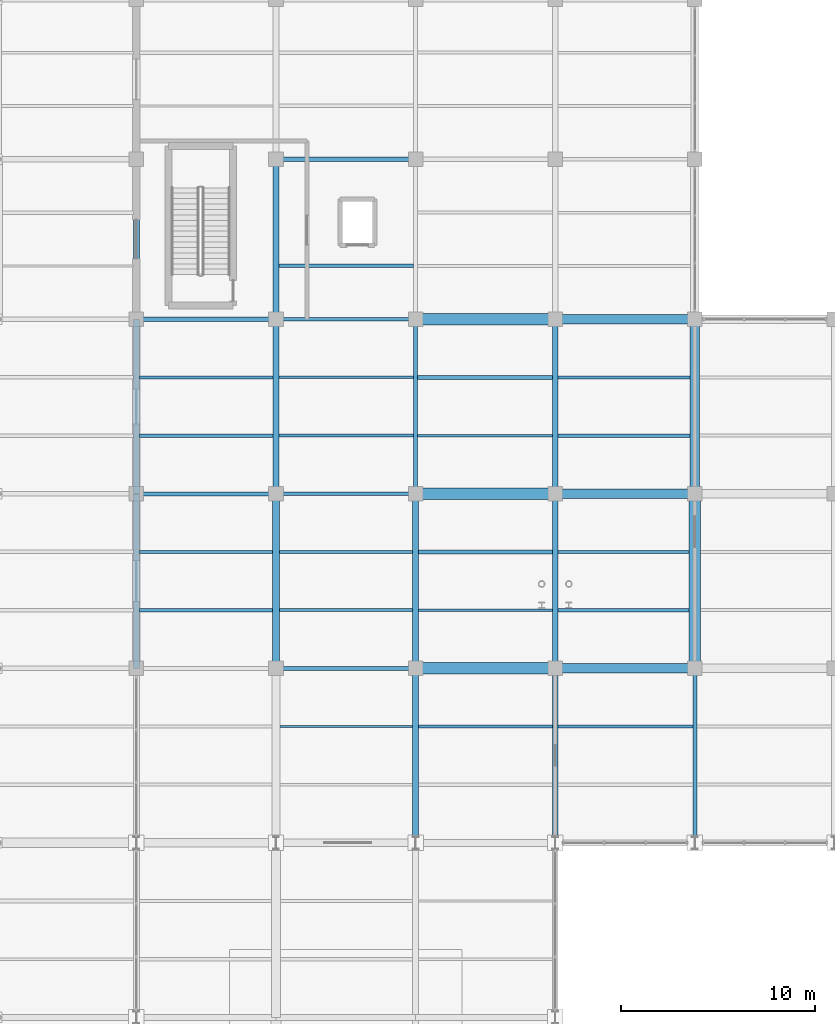
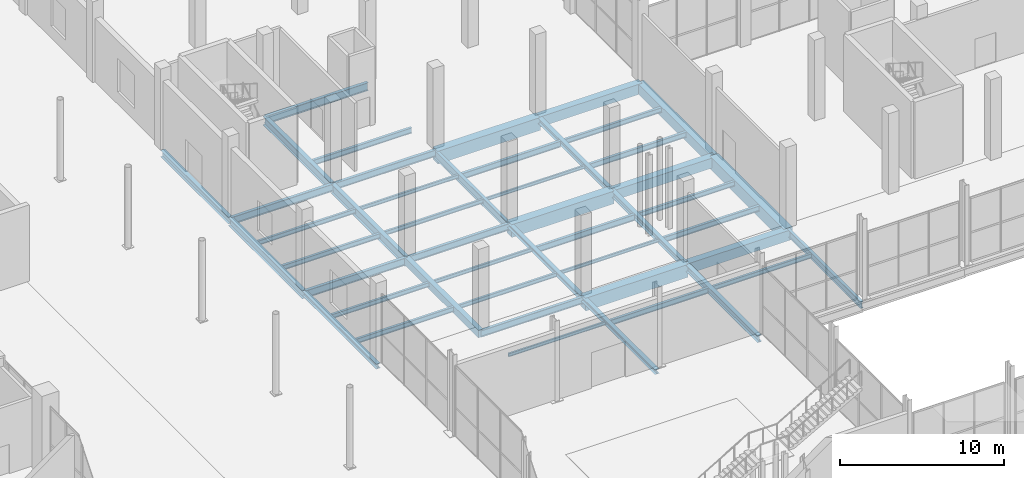
# One storey, part 67 of 144: 47 beams.
"""IFC4 building model written with IfcOpenShell, lengths in metres."""

import ifcopenshell
import ifcopenshell.guid

model = None  # the IFC model being written
_history = None  # IfcOwnerHistory: only IFC2X3 demands one
_inside = {}  # id of a spatial element -> (the spatial element, [elements in it])
_under = {}  # id of a project, library or spatial element -> (it, [spatial elements below it])
_declared = {}  # id of a project -> (the project, [libraries it declares])
_typed = {}  # id of a type object -> (the type object, [elements of that type])
_made_of = {}  # id of a material, layer set ... -> (it, [elements and type objects made of it])


def new_model(schema):
    """Start an empty IFC model of exactly this schema.

    Asked for "IFC4X3", IfcOpenShell would pick the latest addendum, in which some entities
    have other attributes; the version numbers below select the first issue.
    IFC2X3 requires an IfcOwnerHistory on every rooted entity: one is made here for all.
    """
    global model, _history
    if schema == "IFC4X3":
        model = ifcopenshell.file(schema_version=(4, 3, 0, 0))
    else:
        model = ifcopenshell.file(schema=schema)
    _inside.clear()
    _under.clear()
    _declared.clear()
    _typed.clear()
    _made_of.clear()
    _history = None
    if model.schema == "IFC2X3":
        org = make("IfcOrganization", Name="unknown")
        user = make(
            "IfcPersonAndOrganization",
            ThePerson=make("IfcPerson", FamilyName="unknown"),
            TheOrganization=org,
        )
        app = make(
            "IfcApplication",
            ApplicationDeveloper=org,
            Version="unknown",
            ApplicationFullName="unknown",
            ApplicationIdentifier="unknown",
        )
        _history = make(
            "IfcOwnerHistory",
            OwningUser=user,
            OwningApplication=app,
            ChangeAction="ADDED",
            CreationDate=0,
        )
    return model


def make(cls, **values):
    """One entity of the class cls with the attributes given. An attribute that is None is left unset."""
    return model.create_entity(
        cls, **{name: value for name, value in values.items() if value is not None}
    )


def rooted(cls, **values):
    """An entity with a GlobalId (a new one), such as an element, a storey or a relation."""
    return make(cls, GlobalId=ifcopenshell.guid.new(), OwnerHistory=_history, **values)


def si_unit(unit_type, name, prefix=None):
    """IfcSIUnit, for example si_unit("LENGTHUNIT", "METRE", prefix="MILLI")."""
    return make("IfcSIUnit", UnitType=unit_type, Prefix=prefix, Name=name)


def assignment(units):
    """IfcUnitAssignment: the units of a project."""
    return None if units is None else make("IfcUnitAssignment", Units=units)


def point(xyz):
    """IfcCartesianPoint."""
    return None if xyz is None else make("IfcCartesianPoint", Coordinates=xyz)


def direction(xyz):
    """IfcDirection."""
    return None if xyz is None else make("IfcDirection", DirectionRatios=xyz)


def frame(location, z_axis=None, x_axis=None):
    """IfcAxis2Placement3D, a coordinate frame: its origin and axes. An axis left out is left unset."""
    return make(
        "IfcAxis2Placement3D",
        Location=point(location),
        Axis=direction(z_axis),
        RefDirection=direction(x_axis),
    )


def frame_2d(location, x_axis=None):
    """IfcAxis2Placement2D, a coordinate frame in the plane: its origin and x axis."""
    return make(
        "IfcAxis2Placement2D", Location=point(location), RefDirection=direction(x_axis)
    )


def origin():
    """The frame at (0, 0, 0) with its axes left unset."""
    return frame((0.0, 0.0, 0.0))


def origin_2d():
    """The frame at (0, 0) in the plane with its x axis left unset."""
    return frame_2d((0.0, 0.0))


def place(relative_to, where):
    """IfcLocalPlacement: puts the frame where relative to a parent placement (None: the world)."""
    return make(
        "IfcLocalPlacement", PlacementRelTo=relative_to, RelativePlacement=where
    )


def context(
    kind, dimensions, precision=None, world=None, true_north=None, identifier=None
):
    """IfcGeometricRepresentationContext, for example the 3D "Model" context."""
    return make(
        "IfcGeometricRepresentationContext",
        ContextIdentifier=identifier,
        ContextType=kind,
        CoordinateSpaceDimension=dimensions,
        Precision=precision,
        WorldCoordinateSystem=world,
        TrueNorth=true_north,
    )


def subcontext(parent, identifier, kind, view, scale=None):
    """IfcGeometricRepresentationSubContext, for example "Body" below "Model"."""
    return make(
        "IfcGeometricRepresentationSubContext",
        ContextIdentifier=identifier,
        ContextType=kind,
        ParentContext=parent,
        TargetScale=scale,
        TargetView=view,
    )


def project(units=None, contexts=None):
    """IfcProject with its units and contexts."""
    return rooted(
        "IfcProject",
        Name="project",
        RepresentationContexts=contexts,
        UnitsInContext=assignment(units),
    )


def spatial(cls, under=None, at=None, **own):
    """A site, building, storey or space (cls), placed at a placement, below another one or the project."""
    s = rooted(cls, ObjectPlacement=at, **own)
    if under is not None:
        _under.setdefault(under.id(), (under, []))[1].append(s)
    return s


def profile(cls, at=None, kind="AREA", **sizes):
    """A parametric profile (cls). Its sizes go by their IFC names, for example OverallWidth=200.0."""
    return make(cls, ProfileType=kind, Position=at, **sizes)


def rectangle(**sizes):
    """IfcRectangleProfileDef."""
    return profile("IfcRectangleProfileDef", **sizes)


def i_section(**sizes):
    """IfcIShapeProfileDef."""
    return profile("IfcIShapeProfileDef", **sizes)


def extrude(swept, where, along, depth):
    """IfcExtrudedAreaSolid: the profile swept, set in the frame where, extruded along a direction by depth."""
    return make(
        "IfcExtrudedAreaSolid",
        SweptArea=swept,
        Position=where,
        ExtrudedDirection=direction(along),
        Depth=depth,
    )


def shape(context_of_items, identifier, shape_type, items):
    """IfcShapeRepresentation: the items that make up one representation, for example the "Body"."""
    return make(
        "IfcShapeRepresentation",
        ContextOfItems=context_of_items,
        RepresentationIdentifier=identifier,
        RepresentationType=shape_type,
        Items=items,
    )


def material(Name=None, Category=None):
    """IfcMaterial."""
    return make("IfcMaterial", Name=Name, Category=Category)


def material_profile(
    of_material, cross_section, Name=None, Category=None, Priority=None
):
    """IfcMaterialProfile: a cross section and its material."""
    return make(
        "IfcMaterialProfile",
        Name=Name,
        Material=of_material,
        Profile=cross_section,
        Priority=Priority,
        Category=Category,
    )


def profile_set(profiles, Name=None, composite=None):
    """IfcMaterialProfileSet."""
    return make(
        "IfcMaterialProfileSet",
        Name=Name,
        MaterialProfiles=profiles,
        CompositeProfile=composite,
    )


def made_of(thing, what):
    """Note that an element or type object is made of a material, layer set ...; save() writes the relation."""
    if what is not None:
        _made_of.setdefault(what.id(), (what, []))[1].append(thing)
    return thing


def type_object(cls, material=None, **own):
    """A type object (cls), such as IfcWallType, which elements share."""
    return made_of(rooted(cls, **own), material)


def element(
    cls,
    number,
    at=None,
    inside=None,
    cuts=None,
    type_object=None,
    material=None,
    context=None,
    identifier="Body",
    shape_type=None,
    held_by="IfcProductDefinitionShape",
    body=None,
    shapes=None,
    **own,
):
    """One element of the class cls, such as IfcWall. Its Tag is "e" and its number.

    at: its placement. inside: the storey or other place that contains it. cuts: it is an
    opening in that element (IfcRelVoidsElement). A single representation is given by context,
    identifier, shape_type and body (its items); several are given by shapes. held_by: the class
    of the entity that holds the representations. save() writes the other relations.
    """
    e = rooted(cls, Tag="e%d" % number, ObjectPlacement=at, **own)
    if body is not None:
        shapes = [shape(context, identifier, shape_type, body)]
    if shapes is not None:
        e.Representation = make(held_by, Representations=shapes)
    if inside is not None:
        _inside.setdefault(inside.id(), (inside, []))[1].append(e)
    if cuts is not None:
        rooted(
            "IfcRelVoidsElement", RelatingBuildingElement=cuts, RelatedOpeningElement=e
        )
    if type_object is not None:
        _typed.setdefault(type_object.id(), (type_object, []))[1].append(e)
    return made_of(e, material)


def aggregate(whole, parts):
    """IfcRelAggregates: a whole, such as a stair, and the parts it consists of."""
    return rooted("IfcRelAggregates", RelatingObject=whole, RelatedObjects=parts)


def save(model, path):
    """Write the relations noted so far, then the file.

    IfcRelAggregates (storeys below a building ...), IfcRelContainedInSpatialStructure (elements
    in a storey), IfcRelDefinesByType, IfcRelAssociatesMaterial and IfcRelDeclares: one each for
    every whole, place, type object, material and project.
    """
    for whole, parts in _under.values():
        aggregate(whole, parts)
    for where, things in _inside.values():
        rooted(
            "IfcRelContainedInSpatialStructure",
            RelatedElements=things,
            RelatingStructure=where,
        )
    for kind, things in _typed.values():
        rooted("IfcRelDefinesByType", RelatedObjects=things, RelatingType=kind)
    for what, things in _made_of.values():
        rooted("IfcRelAssociatesMaterial", RelatedObjects=things, RelatingMaterial=what)
    for by, libraries in _declared.values():
        rooted("IfcRelDeclares", RelatingContext=by, RelatedDefinitions=libraries)
    model.write(path)


model = new_model("IFC4")

# Units and contexts
model_context = context("Model", 3, precision=1e-05, world=origin(), true_north=direction((0.0, 1.0)))
body_context = subcontext(model_context, "Body", "Model", "MODEL_VIEW")
ifc_project = project(units=[si_unit("LENGTHUNIT", "METRE"), si_unit("AREAUNIT", "SQUARE_METRE"), si_unit("VOLUMEUNIT", "CUBIC_METRE"), si_unit("PLANEANGLEUNIT", "RADIAN"), si_unit("MASSUNIT", "GRAM", prefix="KILO")], contexts=[model_context])

# Site, building, storey
site_placement = place(None, origin())
site = spatial("IfcSite", under=ifc_project, at=site_placement, CompositionType="ELEMENT")
building_placement = place(site_placement, origin())
building = spatial("IfcBuilding", under=site, at=building_placement, Name="Sundgate Opera House", CompositionType="ELEMENT")
storey_placement = place(building_placement, origin())
storey = spatial("IfcBuildingStorey", under=building, at=storey_placement, Name="L00", CompositionType="ELEMENT", Elevation=0.0)

# Beams
ifc_material_1 = material(Name="Steel S355J2", Category="steel")
ifc_material_profile_1 = material_profile(ifc_material_1, i_section(OverallWidth=0.300048828125, OverallDepth=0.330078125, WebThickness=0.009521484375, FlangeThickness=0.0166015625, at=origin_2d()), Name="HEA 340")
ifc_profile_set_1 = profile_set([ifc_material_profile_1], Name="Steel S355J2")
beam_type_1 = type_object("IfcBeamType", Name="BM-GR-HEA340", PredefinedType="BEAM", material=ifc_profile_set_1)
beam_1_placement = place(storey_placement, frame((109.800048828125, 69.0, -0.485107421875), z_axis=(0.0, 1.0, 0.0), x_axis=(-1.0, 0.0, 0.0)))
element("IfcBeam", 1, at=beam_1_placement, inside=storey, type_object=beam_type_1, Name="L00 Primary N-S Girder B0226", PredefinedType="BEAM", context=body_context, shape_type="SweptSolid", body=[
    extrude(i_section(OverallWidth=0.300048828125, OverallDepth=0.330078125, WebThickness=0.009521484375, FlangeThickness=0.0166015625, at=origin_2d()), origin(), (0.0, 0.0, 1.0), 9.0),
])
ifc_material_2 = material(Name="Steel S355J2", Category="steel")
ifc_material_profile_2 = material_profile(ifc_material_2, i_section(OverallWidth=0.300048828125, OverallDepth=0.35009765625, WebThickness=0.010009765625, FlangeThickness=0.017578125, at=origin_2d()), Name="HEA 360")
ifc_profile_set_2 = profile_set([ifc_material_profile_2], Name="Steel S355J2")
beam_type_2 = type_object("IfcBeamType", Name="BM-GR-HEA360", PredefinedType="BEAM", material=ifc_profile_set_2)
beam_2_placement = place(storey_placement, frame((109.800048828125, 60.0, -0.4951171875), z_axis=(0.0, 1.0, 0.0), x_axis=(-1.0, 0.0, 0.0)))
element("IfcBeam", 2, at=beam_2_placement, inside=storey, type_object=beam_type_2, Name="L00 Primary N-S Girder B0225", PredefinedType="BEAM", context=body_context, shape_type="SweptSolid", body=[
    extrude(i_section(OverallWidth=0.300048828125, OverallDepth=0.35009765625, WebThickness=0.010009765625, FlangeThickness=0.017578125, at=origin_2d()), origin(), (0.0, 0.0, 1.0), 9.0),
])
ifc_material_3 = material(Name="Steel S355J2", Category="steel")
ifc_material_profile_3 = material_profile(ifc_material_3, i_section(OverallWidth=0.300048828125, OverallDepth=0.489990234375, WebThickness=0.011962890625, FlangeThickness=0.02294921875, at=origin_2d()), Name="HEA 500")
ifc_profile_set_3 = profile_set([ifc_material_profile_3], Name="Steel S355J2")
beam_type_3 = type_object("IfcBeamType", Name="BM-GR-HEA500", PredefinedType="BEAM", material=ifc_profile_set_3)
beam_3_placement = place(storey_placement, frame((95.39990234375, 87.0, -0.56494140625), z_axis=(0.0, 1.0, 0.0), x_axis=(-1.0, 0.0, 0.0)))
element("IfcBeam", 3, at=beam_3_placement, inside=storey, type_object=beam_type_3, Name="L00 Primary N-S Girder B0200", PredefinedType="BEAM", context=body_context, shape_type="SweptSolid", body=[
    extrude(i_section(OverallWidth=0.300048828125, OverallDepth=0.489990234375, WebThickness=0.011962890625, FlangeThickness=0.02294921875, at=origin_2d()), origin(), (0.0, 0.0, 1.0), 8.25),
])
ifc_material_4 = material(Name="Steel S355J2", Category="steel")
ifc_material_profile_4 = material_profile(ifc_material_4, i_section(OverallWidth=0.300048828125, OverallDepth=0.590087890625, WebThickness=0.012939453125, FlangeThickness=0.02490234375, at=origin_2d()), Name="HEA 600")
ifc_profile_set_4 = profile_set([ifc_material_profile_4], Name="Steel S355J2")
beam_type_4 = type_object("IfcBeamType", Name="BM-GR-HEA600", PredefinedType="BEAM", material=ifc_profile_set_4)
beam_4_placement = place(storey_placement, frame((95.39990234375, 78.0, -0.614990234375), z_axis=(0.0, 1.0, 0.0), x_axis=(-1.0, 0.0, 0.0)))
element("IfcBeam", 4, at=beam_4_placement, inside=storey, type_object=beam_type_4, Name="L00 Primary N-S Girder B0199", PredefinedType="BEAM", context=body_context, shape_type="SweptSolid", body=[
    extrude(i_section(OverallWidth=0.300048828125, OverallDepth=0.590087890625, WebThickness=0.012939453125, FlangeThickness=0.02490234375, at=origin_2d()), origin(), (0.0, 0.0, 1.0), 9.0),
])
ifc_material_5 = material(Name="Steel S355J2", Category="steel")
ifc_material_profile_5 = material_profile(ifc_material_5, i_section(OverallWidth=0.300048828125, OverallDepth=0.360107421875, WebThickness=0.012451171875, FlangeThickness=0.0224609375, at=origin_2d()), Name="HEB 360")
ifc_profile_set_5 = profile_set([ifc_material_profile_5], Name="Steel S355J2")
beam_type_5 = type_object("IfcBeamType", Name="BM-GR-HEB360", PredefinedType="BEAM", material=ifc_profile_set_5)
beam_5_placement = place(storey_placement, frame((95.39990234375, 69.0, -0.5), z_axis=(0.0, 1.0, 0.0), x_axis=(-1.0, 0.0, 0.0)))
element("IfcBeam", 5, at=beam_5_placement, inside=storey, type_object=beam_type_5, Name="L00 Primary N-S Girder B0198", PredefinedType="BEAM", context=body_context, shape_type="SweptSolid", body=[
    extrude(i_section(OverallWidth=0.300048828125, OverallDepth=0.360107421875, WebThickness=0.012451171875, FlangeThickness=0.0224609375, at=origin_2d()), origin(), (0.0, 0.0, 1.0), 9.0),
])
ifc_material_6 = material(Name="Steel S355J2", Category="steel")
ifc_material_profile_6 = material_profile(ifc_material_6, i_section(OverallWidth=0.300048828125, OverallDepth=0.39990234375, WebThickness=0.013427734375, FlangeThickness=0.02392578125, at=origin_2d()), Name="HEB 400")
ifc_profile_set_6 = profile_set([ifc_material_profile_6], Name="Steel S355J2")
beam_type_6 = type_object("IfcBeamType", Name="BM-GR-HEB400", PredefinedType="BEAM", material=ifc_profile_set_6)
beam_6_placement = place(storey_placement, frame((117.0, 78.0, -0.52001953125), z_axis=(0.0, 1.0, 0.0), x_axis=(-1.0, 0.0, 0.0)))
element("IfcBeam", 6, at=beam_6_placement, inside=storey, type_object=beam_type_6, Name="L00 Primary N-S Girder B0241", PredefinedType="BEAM", context=body_context, shape_type="SweptSolid", body=[
    extrude(i_section(OverallWidth=0.300048828125, OverallDepth=0.39990234375, WebThickness=0.013427734375, FlangeThickness=0.02392578125, at=origin_2d()), origin(), (0.0, 0.0, 1.0), 9.0),
])
ifc_material_7 = material(Name="Steel S355J2", Category="steel")
ifc_material_profile_7 = material_profile(ifc_material_7, i_section(OverallWidth=0.300048828125, OverallDepth=0.449951171875, WebThickness=0.013916015625, FlangeThickness=0.02587890625, at=origin_2d()), Name="HEB 450")
ifc_profile_set_7 = profile_set([ifc_material_profile_7], Name="Steel S355J2")
beam_type_7 = type_object("IfcBeamType", Name="BM-GR-HEB450", PredefinedType="BEAM", material=ifc_profile_set_7)
beam_7_placement = place(storey_placement, frame((117.0, 69.0, -0.544921875), z_axis=(0.0, 1.0, 0.0), x_axis=(-1.0, 0.0, 0.0)))
element("IfcBeam", 7, at=beam_7_placement, inside=storey, type_object=beam_type_7, Name="L00 Primary N-S Girder B0240", PredefinedType="BEAM", context=body_context, shape_type="SweptSolid", body=[
    extrude(i_section(OverallWidth=0.300048828125, OverallDepth=0.449951171875, WebThickness=0.013916015625, FlangeThickness=0.02587890625, at=origin_2d()), origin(), (0.0, 0.0, 1.0), 9.0),
])
ifc_material_8 = material(Name="Steel S355J2", Category="steel")
ifc_material_profile_8 = material_profile(ifc_material_8, i_section(OverallWidth=0.300048828125, OverallDepth=0.5, WebThickness=0.014404296875, FlangeThickness=0.028076171875, at=origin_2d()), Name="HEB 500")
ifc_profile_set_8 = profile_set([ifc_material_profile_8], Name="Steel S355J2")
beam_type_8 = type_object("IfcBeamType", Name="BM-GR-HEB500", PredefinedType="BEAM", material=ifc_profile_set_8)
beam_8_placement = place(storey_placement, frame((117.0, 60.0, -0.570068359375), z_axis=(0.0, 1.0, 0.0), x_axis=(-1.0, 0.0, 0.0)))
element("IfcBeam", 8, at=beam_8_placement, inside=storey, type_object=beam_type_8, Name="L00 Primary N-S Girder B0239", PredefinedType="BEAM", context=body_context, shape_type="SweptSolid", body=[
    extrude(i_section(OverallWidth=0.300048828125, OverallDepth=0.5, WebThickness=0.014404296875, FlangeThickness=0.028076171875, at=origin_2d()), origin(), (0.0, 0.0, 1.0), 9.0),
])
ifc_material_9 = material(Name="Steel S355J2", Category="steel")
ifc_material_profile_9 = material_profile(ifc_material_9, i_section(OverallWidth=0.300048828125, OverallDepth=0.64990234375, WebThickness=0.01611328125, FlangeThickness=0.031005859375, at=origin_2d()), Name="HEB 650")
ifc_profile_set_9 = profile_set([ifc_material_profile_9], Name="Steel S355J2")
beam_type_9 = type_object("IfcBeamType", Name="BM-GR-HEB650", PredefinedType="BEAM", material=ifc_profile_set_9)
beam_9_placement = place(storey_placement, frame((102.60009765625, 87.0, -0.64501953125), z_axis=(0.0, 1.0, 0.0), x_axis=(-1.0, 0.0, 0.0)))
element("IfcBeam", 9, at=beam_9_placement, inside=storey, type_object=beam_type_9, Name="L00 Primary N-S Girder B0214", PredefinedType="BEAM", context=body_context, shape_type="SweptSolid", body=[
    extrude(i_section(OverallWidth=0.300048828125, OverallDepth=0.64990234375, WebThickness=0.01611328125, FlangeThickness=0.031005859375, at=origin_2d()), origin(), (0.0, 0.0, 1.0), 8.25),
])
ifc_material_10 = material(Name="Steel S355J2", Category="steel")
ifc_material_profile_10 = material_profile(ifc_material_10, i_section(OverallWidth=0.300048828125, OverallDepth=0.699951171875, WebThickness=0.01708984375, FlangeThickness=0.031982421875, at=origin_2d()), Name="HEB 700")
ifc_profile_set_10 = profile_set([ifc_material_profile_10], Name="Steel S355J2")
beam_type_10 = type_object("IfcBeamType", Name="BM-GR-HEB700", PredefinedType="BEAM", material=ifc_profile_set_10)
beam_10_placement = place(storey_placement, frame((102.60009765625, 78.0, -0.669921875), z_axis=(0.0, 1.0, 0.0), x_axis=(-1.0, 0.0, 0.0)))
element("IfcBeam", 10, at=beam_10_placement, inside=storey, type_object=beam_type_10, Name="L00 Primary N-S Girder B0213", PredefinedType="BEAM", context=body_context, shape_type="SweptSolid", body=[
    extrude(i_section(OverallWidth=0.300048828125, OverallDepth=0.699951171875, WebThickness=0.01708984375, FlangeThickness=0.031982421875, at=origin_2d()), origin(), (0.0, 0.0, 1.0), 9.0),
])
ifc_material_11 = material(Name="Steel S355J2", Category="steel")
ifc_material_profile_11 = material_profile(ifc_material_11, i_section(OverallWidth=0.199951171875, OverallDepth=0.5, WebThickness=0.01025390625, FlangeThickness=0.01611328125, at=origin_2d()), Name="IPE 500")
ifc_profile_set_11 = profile_set([ifc_material_profile_11], Name="Steel S355J2")
beam_type_11 = type_object("IfcBeamType", Name="BM-GR-IPE500", PredefinedType="BEAM", material=ifc_profile_set_11)
beam_11_placement = place(storey_placement, frame((124.199951171875, 60.0, -0.570068359375), z_axis=(0.0, 1.0, 0.0), x_axis=(-1.0, 0.0, 0.0)))
element("IfcBeam", 11, at=beam_11_placement, inside=storey, type_object=beam_type_11, Name="L00 Primary N-S Girder B0251", PredefinedType="BEAM", context=body_context, shape_type="SweptSolid", body=[
    extrude(i_section(OverallWidth=0.199951171875, OverallDepth=0.5, WebThickness=0.01025390625, FlangeThickness=0.01611328125, at=origin_2d()), origin(), (0.0, 0.0, 1.0), 9.0),
])
for number, where, z_axis, x_axis, name in (
    (12, (102.60009765625, 69.0, -0.570068359375), (1.0, 0.0, 0.0), (0.0, 1.0, 0.0), "L00 Primary E-W Girder B0470"),
    (13, (102.60009765625, 78.0, -0.570068359375), (1.0, 0.0, 0.0), (0.0, 1.0, 0.0), "L00 Primary E-W Girder B0492"),
    (14, (102.60009765625, 87.0, -0.570068359375), (1.0, 0.0, 0.0), (0.0, 1.0, 0.0), "L00 Primary E-W Girder B0514"),
):
    element("IfcBeam", number, at=place(storey_placement, frame(where, z_axis=z_axis, x_axis=x_axis)), inside=storey, type_object=beam_type_11, Name=name, PredefinedType="BEAM", context=body_context, shape_type="SweptSolid", body=[
        extrude(i_section(OverallWidth=0.199951171875, OverallDepth=0.5, WebThickness=0.01025390625, FlangeThickness=0.01611328125, at=origin_2d()), origin(), (0.0, 0.0, 1.0), 7.199951171875),
    ])
ifc_material_12 = material(Name="Steel S355J2", Category="steel")
ifc_material_profile_12 = material_profile(ifc_material_12, i_section(OverallWidth=0.2099609375, OverallDepth=0.550048828125, WebThickness=0.010986328125, FlangeThickness=0.01708984375, at=origin_2d()), Name="IPE 550")
ifc_profile_set_12 = profile_set([ifc_material_profile_12], Name="Steel S355J2")
beam_type_12 = type_object("IfcBeamType", Name="BM-GR-IPE550", PredefinedType="BEAM", material=ifc_profile_set_12)
for number, where, z_axis, x_axis, name in (
    (15, (95.39990234375, 78.0, -0.594970703125), (1.0, 0.0, 0.0), (0.0, 1.0, 0.0), "L00 Primary E-W Girder B0491"),
    (16, (95.39990234375, 87.0, -0.594970703125), (1.0, 0.0, 0.0), (0.0, 1.0, 0.0), "L00 Primary E-W Girder B0513"),
):
    element("IfcBeam", number, at=place(storey_placement, frame(where, z_axis=z_axis, x_axis=x_axis)), inside=storey, type_object=beam_type_12, Name=name, PredefinedType="BEAM", context=body_context, shape_type="SweptSolid", body=[
        extrude(i_section(OverallWidth=0.2099609375, OverallDepth=0.550048828125, WebThickness=0.010986328125, FlangeThickness=0.01708984375, at=origin_2d()), origin(), (0.0, 0.0, 1.0), 7.2001953125),
    ])
ifc_material_13 = material(Name="Steel S355J2", Category="steel")
ifc_material_profile_13 = material_profile(ifc_material_13, i_section(OverallWidth=0.219970703125, OverallDepth=0.60009765625, WebThickness=0.011962890625, FlangeThickness=0.01904296875, at=origin_2d()), Name="IPE 600")
ifc_profile_set_13 = profile_set([ifc_material_profile_13], Name="Steel S355J2")
beam_type_13 = type_object("IfcBeamType", Name="BM-GR-IPE600", PredefinedType="BEAM", material=ifc_profile_set_13)
beam_12_placement = place(storey_placement, frame((109.800048828125, 78.0, -0.6201171875), z_axis=(0.0, 1.0, 0.0), x_axis=(-1.0, 0.0, 0.0)))
element("IfcBeam", 17, at=beam_12_placement, inside=storey, type_object=beam_type_13, Name="L00 Primary N-S Girder B0227", PredefinedType="BEAM", context=body_context, shape_type="SweptSolid", body=[
    extrude(i_section(OverallWidth=0.219970703125, OverallDepth=0.60009765625, WebThickness=0.011962890625, FlangeThickness=0.01904296875, at=origin_2d()), origin(), (0.0, 0.0, 1.0), 9.0),
])
beam_13_placement = place(storey_placement, frame((102.60009765625, 95.25, -0.6201171875), z_axis=(1.0, 0.0, 0.0), x_axis=(0.0, 1.0, 0.0)))
element("IfcBeam", 18, at=beam_13_placement, inside=storey, type_object=beam_type_13, Name="L00 Primary E-W Girder B0534", PredefinedType="BEAM", context=body_context, shape_type="SweptSolid", body=[
    extrude(i_section(OverallWidth=0.219970703125, OverallDepth=0.60009765625, WebThickness=0.011962890625, FlangeThickness=0.01904296875, at=origin_2d()), origin(), (0.0, 0.0, 1.0), 7.199951171875),
])
ifc_material_14 = material(Name="Steel S355J2", Category="steel")
ifc_material_profile_14 = material_profile(ifc_material_14, i_section(OverallWidth=0.1201171875, OverallDepth=0.239990234375, WebThickness=0.006103515625, FlangeThickness=0.009765625, at=origin_2d()), Name="IPE 240")
ifc_profile_set_14 = profile_set([ifc_material_profile_14], Name="Steel S355J2")
beam_type_14 = type_object("IfcBeamType", Name="BM-JS-IPE240", PredefinedType="JOIST", material=ifc_profile_set_14)
beam_14_placement = place(storey_placement, frame((102.800048828125, 66.0, -0.43994140625), z_axis=(1.0, 0.0, 0.0), x_axis=(0.0, 1.0, 0.0)))
element("IfcBeam", 19, at=beam_14_placement, inside=storey, type_object=beam_type_14, Name="L00 Secondary Floor Joist B0825", PredefinedType="JOIST", context=body_context, shape_type="SweptSolid", body=[
    extrude(i_section(OverallWidth=0.1201171875, OverallDepth=0.239990234375, WebThickness=0.006103515625, FlangeThickness=0.009765625, at=origin_2d()), origin(), (0.0, 0.0, 1.0), 6.849853515625),
])
beam_15_placement = place(storey_placement, frame((109.949951171875, 72.0, -0.43994140625), z_axis=(1.0, 0.0, 0.0), x_axis=(0.0, 1.0, 0.0)))
element("IfcBeam", 20, at=beam_15_placement, inside=storey, type_object=beam_type_14, Name="L00 Secondary Floor Joist B0860", PredefinedType="JOIST", context=body_context, shape_type="SweptSolid", body=[
    extrude(i_section(OverallWidth=0.1201171875, OverallDepth=0.239990234375, WebThickness=0.006103515625, FlangeThickness=0.009765625, at=origin_2d()), origin(), (0.0, 0.0, 1.0), 6.900146484375),
])
beam_16_placement = place(storey_placement, frame((109.909912109375, 81.0, -0.43994140625), z_axis=(1.0, 0.0, 0.0), x_axis=(0.0, 1.0, 0.0)))
element("IfcBeam", 21, at=beam_16_placement, inside=storey, type_object=beam_type_14, Name="L00 Secondary Floor Joist B0902", PredefinedType="JOIST", context=body_context, shape_type="SweptSolid", body=[
    extrude(i_section(OverallWidth=0.1201171875, OverallDepth=0.239990234375, WebThickness=0.006103515625, FlangeThickness=0.009765625, at=origin_2d()), origin(), (0.0, 0.0, 1.0), 6.940185546875),
])
ifc_material_15 = material(Name="Steel S355J2", Category="steel")
ifc_material_profile_15 = material_profile(ifc_material_15, i_section(OverallWidth=0.135009765625, OverallDepth=0.27001953125, WebThickness=0.006591796875, FlangeThickness=0.01025390625, at=origin_2d()), Name="IPE 270")
ifc_profile_set_15 = profile_set([ifc_material_profile_15], Name="Steel S355J2")
beam_type_15 = type_object("IfcBeamType", Name="BM-JS-IPE270", PredefinedType="JOIST", material=ifc_profile_set_15)
beam_17_placement = place(storey_placement, frame((102.77490234375, 75.0, -0.455078125), z_axis=(1.0, 0.0, 0.0), x_axis=(0.0, 1.0, 0.0)))
element("IfcBeam", 22, at=beam_17_placement, inside=storey, type_object=beam_type_15, Name="L00 Secondary Floor Joist B0859", PredefinedType="JOIST", context=body_context, shape_type="SweptSolid", body=[
    extrude(i_section(OverallWidth=0.135009765625, OverallDepth=0.27001953125, WebThickness=0.006591796875, FlangeThickness=0.01025390625, at=origin_2d()), origin(), (0.0, 0.0, 1.0), 6.875),
])
beam_18_placement = place(storey_placement, frame((102.75, 84.0, -0.455078125), z_axis=(1.0, 0.0, 0.0), x_axis=(0.0, 1.0, 0.0)))
element("IfcBeam", 23, at=beam_18_placement, inside=storey, type_object=beam_type_15, Name="L00 Secondary Floor Joist B0901", PredefinedType="JOIST", context=body_context, shape_type="SweptSolid", body=[
    extrude(i_section(OverallWidth=0.135009765625, OverallDepth=0.27001953125, WebThickness=0.006591796875, FlangeThickness=0.01025390625, at=origin_2d()), origin(), (0.0, 0.0, 1.0), 6.93994140625),
])
ifc_material_16 = material(Name="Steel S355J2", Category="steel")
ifc_material_profile_16 = material_profile(ifc_material_16, i_section(OverallWidth=0.14990234375, OverallDepth=0.300048828125, WebThickness=0.007080078125, FlangeThickness=0.0107421875, at=origin_2d()), Name="IPE 300")
ifc_profile_set_16 = profile_set([ifc_material_profile_16], Name="Steel S355J2")
beam_type_16 = type_object("IfcBeamType", Name="BM-JS-IPE300", PredefinedType="JOIST", material=ifc_profile_set_16)
beam_19_placement = place(storey_placement, frame((102.77490234375, 72.0, -0.469970703125), z_axis=(1.0, 0.0, 0.0), x_axis=(0.0, 1.0, 0.0)))
element("IfcBeam", 24, at=beam_19_placement, inside=storey, type_object=beam_type_16, Name="L00 Secondary Floor Joist B0858", PredefinedType="JOIST", context=body_context, shape_type="SweptSolid", body=[
    extrude(i_section(OverallWidth=0.14990234375, OverallDepth=0.300048828125, WebThickness=0.007080078125, FlangeThickness=0.0107421875, at=origin_2d()), origin(), (0.0, 0.0, 1.0), 6.875),
])
beam_20_placement = place(storey_placement, frame((102.75, 81.0, -0.469970703125), z_axis=(1.0, 0.0, 0.0), x_axis=(0.0, 1.0, 0.0)))
element("IfcBeam", 25, at=beam_20_placement, inside=storey, type_object=beam_type_16, Name="L00 Secondary Floor Joist B0900", PredefinedType="JOIST", context=body_context, shape_type="SweptSolid", body=[
    extrude(i_section(OverallWidth=0.14990234375, OverallDepth=0.300048828125, WebThickness=0.007080078125, FlangeThickness=0.0107421875, at=origin_2d()), origin(), (0.0, 0.0, 1.0), 6.93994140625),
])
ifc_material_17 = material(Name="Steel S355J2", Category="steel")
ifc_material_profile_17 = material_profile(ifc_material_17, i_section(OverallWidth=0.159912109375, OverallDepth=0.330078125, WebThickness=0.007568359375, FlangeThickness=0.011474609375, at=origin_2d()), Name="IPE 330")
ifc_profile_set_17 = profile_set([ifc_material_profile_17], Name="Steel S355J2")
beam_type_17 = type_object("IfcBeamType", Name="BM-JS-IPE330", PredefinedType="JOIST", material=ifc_profile_set_17)
beam_21_placement = place(storey_placement, frame((117.14990234375, 66.0, -0.485107421875), z_axis=(1.0, 0.0, 0.0), x_axis=(0.0, 1.0, 0.0)))
element("IfcBeam", 26, at=beam_21_placement, inside=storey, type_object=beam_type_17, Name="L00 Secondary Floor Joist B0829", PredefinedType="JOIST", context=body_context, shape_type="SweptSolid", body=[
    extrude(i_section(OverallWidth=0.159912109375, OverallDepth=0.330078125, WebThickness=0.007568359375, FlangeThickness=0.011474609375, at=origin_2d()), origin(), (0.0, 0.0, 1.0), 6.9501953125),
])
beam_22_placement = place(storey_placement, frame((95.550048828125, 75.0, -0.485107421875), z_axis=(1.0, 0.0, 0.0), x_axis=(0.0, 1.0, 0.0)))
element("IfcBeam", 27, at=beam_22_placement, inside=storey, type_object=beam_type_17, Name="L00 Secondary Floor Joist B0857", PredefinedType="JOIST", context=body_context, shape_type="SweptSolid", body=[
    extrude(i_section(OverallWidth=0.159912109375, OverallDepth=0.330078125, WebThickness=0.007568359375, FlangeThickness=0.011474609375, at=origin_2d()), origin(), (0.0, 0.0, 1.0), 6.875),
])
beam_23_placement = place(storey_placement, frame((95.550048828125, 84.0, -0.485107421875), z_axis=(1.0, 0.0, 0.0), x_axis=(0.0, 1.0, 0.0)))
element("IfcBeam", 28, at=beam_23_placement, inside=storey, type_object=beam_type_17, Name="L00 Secondary Floor Joist B0899", PredefinedType="JOIST", context=body_context, shape_type="SweptSolid", body=[
    extrude(i_section(OverallWidth=0.159912109375, OverallDepth=0.330078125, WebThickness=0.007568359375, FlangeThickness=0.011474609375, at=origin_2d()), origin(), (0.0, 0.0, 1.0), 6.89990234375),
])
ifc_material_18 = material(Name="Steel S355J2", Category="steel")
ifc_material_profile_18 = material_profile(ifc_material_18, i_section(OverallWidth=0.169921875, OverallDepth=0.360107421875, WebThickness=0.008056640625, FlangeThickness=0.0126953125, at=origin_2d()), Name="IPE 360")
ifc_profile_set_18 = profile_set([ifc_material_profile_18], Name="Steel S355J2")
beam_type_18 = type_object("IfcBeamType", Name="BM-JS-IPE360", PredefinedType="JOIST", material=ifc_profile_set_18)
beam_24_placement = place(storey_placement, frame((95.550048828125, 72.0, -0.5), z_axis=(1.0, 0.0, 0.0), x_axis=(0.0, 1.0, 0.0)))
element("IfcBeam", 29, at=beam_24_placement, inside=storey, type_object=beam_type_18, Name="L00 Secondary Floor Joist B0856", PredefinedType="JOIST", context=body_context, shape_type="SweptSolid", body=[
    extrude(i_section(OverallWidth=0.169921875, OverallDepth=0.360107421875, WebThickness=0.008056640625, FlangeThickness=0.0126953125, at=origin_2d()), origin(), (0.0, 0.0, 1.0), 6.875),
])
beam_25_placement = place(storey_placement, frame((117.14990234375, 75.0, -0.5), z_axis=(1.0, 0.0, 0.0), x_axis=(0.0, 1.0, 0.0)))
element("IfcBeam", 30, at=beam_25_placement, inside=storey, type_object=beam_type_18, Name="L00 Secondary Floor Joist B0863", PredefinedType="JOIST", context=body_context, shape_type="SweptSolid", body=[
    extrude(i_section(OverallWidth=0.169921875, OverallDepth=0.360107421875, WebThickness=0.008056640625, FlangeThickness=0.0126953125, at=origin_2d()), origin(), (0.0, 0.0, 1.0), 6.75),
])
beam_26_placement = place(storey_placement, frame((95.550048828125, 81.0, -0.5), z_axis=(1.0, 0.0, 0.0), x_axis=(0.0, 1.0, 0.0)))
element("IfcBeam", 31, at=beam_26_placement, inside=storey, type_object=beam_type_18, Name="L00 Secondary Floor Joist B0898", PredefinedType="JOIST", context=body_context, shape_type="SweptSolid", body=[
    extrude(i_section(OverallWidth=0.169921875, OverallDepth=0.360107421875, WebThickness=0.008056640625, FlangeThickness=0.0126953125, at=origin_2d()), origin(), (0.0, 0.0, 1.0), 6.89990234375),
])
beam_27_placement = place(storey_placement, frame((117.14990234375, 84.0, -0.5), z_axis=(1.0, 0.0, 0.0), x_axis=(0.0, 1.0, 0.0)))
element("IfcBeam", 32, at=beam_27_placement, inside=storey, type_object=beam_type_18, Name="L00 Secondary Floor Joist B0905", PredefinedType="JOIST", context=body_context, shape_type="SweptSolid", body=[
    extrude(i_section(OverallWidth=0.169921875, OverallDepth=0.360107421875, WebThickness=0.008056640625, FlangeThickness=0.0126953125, at=origin_2d()), origin(), (0.0, 0.0, 1.0), 6.800048828125),
])
ifc_material_19 = material(Name="Steel S355J2", Category="steel")
ifc_material_profile_19 = material_profile(ifc_material_19, i_section(OverallWidth=0.179931640625, OverallDepth=0.39990234375, WebThickness=0.008544921875, FlangeThickness=0.013427734375, at=origin_2d()), Name="IPE 400")
ifc_profile_set_19 = profile_set([ifc_material_profile_19], Name="Steel S355J2")
beam_type_19 = type_object("IfcBeamType", Name="BM-JS-IPE400", PredefinedType="JOIST", material=ifc_profile_set_19)
beam_28_placement = place(storey_placement, frame((109.949951171875, 66.0, -0.52001953125), z_axis=(1.0, 0.0, 0.0), x_axis=(0.0, 1.0, 0.0)))
element("IfcBeam", 33, at=beam_28_placement, inside=storey, type_object=beam_type_19, Name="L00 Secondary Floor Joist B0827", PredefinedType="JOIST", context=body_context, shape_type="SweptSolid", body=[
    extrude(i_section(OverallWidth=0.179931640625, OverallDepth=0.39990234375, WebThickness=0.008544921875, FlangeThickness=0.013427734375, at=origin_2d()), origin(), (0.0, 0.0, 1.0), 6.900146484375),
])
beam_29_placement = place(storey_placement, frame((117.14990234375, 72.0, -0.52001953125), z_axis=(1.0, 0.0, 0.0), x_axis=(0.0, 1.0, 0.0)))
element("IfcBeam", 34, at=beam_29_placement, inside=storey, type_object=beam_type_19, Name="L00 Secondary Floor Joist B0862", PredefinedType="JOIST", context=body_context, shape_type="SweptSolid", body=[
    extrude(i_section(OverallWidth=0.179931640625, OverallDepth=0.39990234375, WebThickness=0.008544921875, FlangeThickness=0.013427734375, at=origin_2d()), origin(), (0.0, 0.0, 1.0), 6.75),
])
beam_30_placement = place(storey_placement, frame((117.14990234375, 81.0, -0.52001953125), z_axis=(1.0, 0.0, 0.0), x_axis=(0.0, 1.0, 0.0)))
element("IfcBeam", 35, at=beam_30_placement, inside=storey, type_object=beam_type_19, Name="L00 Secondary Floor Joist B0904", PredefinedType="JOIST", context=body_context, shape_type="SweptSolid", body=[
    extrude(i_section(OverallWidth=0.179931640625, OverallDepth=0.39990234375, WebThickness=0.008544921875, FlangeThickness=0.013427734375, at=origin_2d()), origin(), (0.0, 0.0, 1.0), 6.800048828125),
])
beam_31_placement = place(storey_placement, frame((102.75, 89.75, -0.52001953125), z_axis=(1.0, 0.0, 0.0), x_axis=(0.0, 1.0, 0.0)))
element("IfcBeam", 36, at=beam_31_placement, inside=storey, type_object=beam_type_19, Name="L00 Secondary Floor Joist B0939", PredefinedType="JOIST", context=body_context, shape_type="SweptSolid", body=[
    extrude(i_section(OverallWidth=0.179931640625, OverallDepth=0.39990234375, WebThickness=0.008544921875, FlangeThickness=0.013427734375, at=origin_2d()), origin(), (0.0, 0.0, 1.0), 6.945068359375),
])
ifc_material_20 = material(Name="Steel S355J2", Category="steel")
ifc_material_profile_20 = material_profile(ifc_material_20, i_section(OverallWidth=0.18994140625, OverallDepth=0.449951171875, WebThickness=0.009521484375, FlangeThickness=0.0146484375, at=origin_2d()), Name="IPE 450")
ifc_profile_set_20 = profile_set([ifc_material_profile_20], Name="Steel S355J2")
beam_type_20 = type_object("IfcBeamType", Name="BM-JS-IPE450", PredefinedType="JOIST", material=ifc_profile_set_20)
beam_32_placement = place(storey_placement, frame((109.949951171875, 75.0, -0.544921875), z_axis=(1.0, 0.0, 0.0), x_axis=(0.0, 1.0, 0.0)))
element("IfcBeam", 37, at=beam_32_placement, inside=storey, type_object=beam_type_20, Name="L00 Secondary Floor Joist B0861", PredefinedType="JOIST", context=body_context, shape_type="SweptSolid", body=[
    extrude(i_section(OverallWidth=0.18994140625, OverallDepth=0.449951171875, WebThickness=0.009521484375, FlangeThickness=0.0146484375, at=origin_2d()), origin(), (0.0, 0.0, 1.0), 6.900146484375),
])
beam_33_placement = place(storey_placement, frame((109.909912109375, 84.0, -0.544921875), z_axis=(1.0, 0.0, 0.0), x_axis=(0.0, 1.0, 0.0)))
element("IfcBeam", 38, at=beam_33_placement, inside=storey, type_object=beam_type_20, Name="L00 Secondary Floor Joist B0903", PredefinedType="JOIST", context=body_context, shape_type="SweptSolid", body=[
    extrude(i_section(OverallWidth=0.18994140625, OverallDepth=0.449951171875, WebThickness=0.009521484375, FlangeThickness=0.0146484375, at=origin_2d()), origin(), (0.0, 0.0, 1.0), 6.940185546875),
])
ifc_material_21 = material(Name="Concrete C35/45", Category="concrete")
ifc_material_profile_21 = material_profile(ifc_material_21, rectangle(XDim=0.35009765625, YDim=0.550048828125, at=origin_2d()), Name="RC 350x550")
ifc_profile_set_21 = profile_set([ifc_material_profile_21], Name="Concrete C35/45")
beam_type_21 = type_object("IfcBeamType", Name="BM-RC-350x550", PredefinedType="BEAM", material=ifc_profile_set_21)
beam_34_placement = place(storey_placement, frame((102.60009765625, 69.0, -0.594970703125), z_axis=(0.0, 1.0, 0.0), x_axis=(-1.0, 0.0, 0.0)))
element("IfcBeam", 39, at=beam_34_placement, inside=storey, type_object=beam_type_21, Name="L00 Primary N-S Girder B0212", PredefinedType="BEAM", context=body_context, shape_type="SweptSolid", body=[
    extrude(rectangle(XDim=0.35009765625, YDim=0.550048828125, at=origin_2d()), origin(), (0.0, 0.0, 1.0), 9.0),
])
ifc_material_22 = material(Name="Concrete C40/50", Category="concrete")
ifc_material_profile_22 = material_profile(ifc_material_22, rectangle(XDim=0.5, YDim=0.75, at=origin_2d()), Name="RC 500x750")
ifc_profile_set_22 = profile_set([ifc_material_profile_22], Name="Concrete C40/50")
beam_type_22 = type_object("IfcBeamType", Name="BM-RC-500x750", PredefinedType="BEAM", material=ifc_profile_set_22)
beam_35_placement = place(storey_placement, frame((124.199951171875, 78.0, -0.695068359375), z_axis=(0.0, 1.0, 0.0), x_axis=(-1.0, 0.0, 0.0)))
element("IfcBeam", 40, at=beam_35_placement, inside=storey, type_object=beam_type_22, Name="L00 Primary N-S Girder B0253", PredefinedType="BEAM", context=body_context, shape_type="SweptSolid", body=[
    extrude(rectangle(XDim=0.5, YDim=0.75, at=origin_2d()), origin(), (0.0, 0.0, 1.0), 9.0),
])
for number, where, z_axis, x_axis, name in (
    (41, (117.0, 69.0, -0.695068359375), (1.0, 0.0, 0.0), (0.0, 1.0, 0.0), "L00 Primary E-W Girder B0472"),
    (42, (117.0, 78.0, -0.695068359375), (1.0, 0.0, 0.0), (0.0, 1.0, 0.0), "L00 Primary E-W Girder B0494"),
    (43, (117.0, 87.0, -0.695068359375), (1.0, 0.0, 0.0), (0.0, 1.0, 0.0), "L00 Primary E-W Girder B0516"),
):
    element("IfcBeam", number, at=place(storey_placement, frame(where, z_axis=z_axis, x_axis=x_axis)), inside=storey, type_object=beam_type_22, Name=name, PredefinedType="BEAM", context=body_context, shape_type="SweptSolid", body=[
        extrude(rectangle(XDim=0.5, YDim=0.75, at=origin_2d()), origin(), (0.0, 0.0, 1.0), 7.199951171875),
    ])
ifc_material_23 = material(Name="Concrete C40/50", Category="concrete")
ifc_material_profile_23 = material_profile(ifc_material_23, rectangle(XDim=0.60009765625, YDim=0.949951171875, at=origin_2d()), Name="RC 600x950")
ifc_profile_set_23 = profile_set([ifc_material_profile_23], Name="Concrete C40/50")
beam_type_23 = type_object("IfcBeamType", Name="BM-RC-600x950", PredefinedType="BEAM", material=ifc_profile_set_23)
beam_36_placement = place(storey_placement, frame((124.199951171875, 69.0, -0.794921875), z_axis=(0.0, 1.0, 0.0), x_axis=(-1.0, 0.0, 0.0)))
element("IfcBeam", 44, at=beam_36_placement, inside=storey, type_object=beam_type_23, Name="L00 Primary N-S Girder B0252", PredefinedType="BEAM", context=body_context, shape_type="SweptSolid", body=[
    extrude(rectangle(XDim=0.60009765625, YDim=0.949951171875, at=origin_2d()), origin(), (0.0, 0.0, 1.0), 9.0),
])
for number, where, z_axis, x_axis, name in (
    (45, (109.800048828125, 69.0, -0.794921875), (1.0, 0.0, 0.0), (0.0, 1.0, 0.0), "L00 Primary E-W Girder B0471"),
    (46, (109.800048828125, 78.0, -0.794921875), (1.0, 0.0, 0.0), (0.0, 1.0, 0.0), "L00 Primary E-W Girder B0493"),
    (47, (109.800048828125, 87.0, -0.794921875), (1.0, 0.0, 0.0), (0.0, 1.0, 0.0), "L00 Primary E-W Girder B0515"),
):
    element("IfcBeam", number, at=place(storey_placement, frame(where, z_axis=z_axis, x_axis=x_axis)), inside=storey, type_object=beam_type_23, Name=name, PredefinedType="BEAM", context=body_context, shape_type="SweptSolid", body=[
        extrude(rectangle(XDim=0.60009765625, YDim=0.949951171875, at=origin_2d()), origin(), (0.0, 0.0, 1.0), 7.199951171875),
    ])

save(model, "model.ifc")
